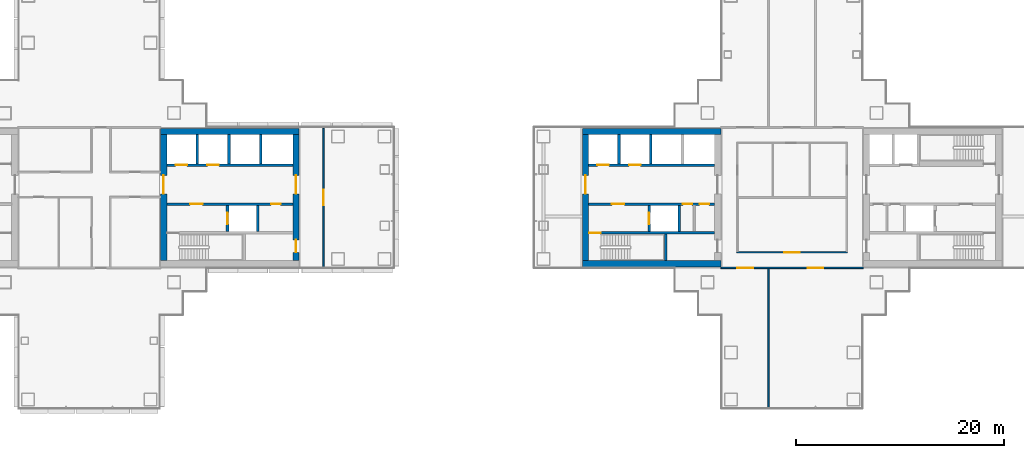
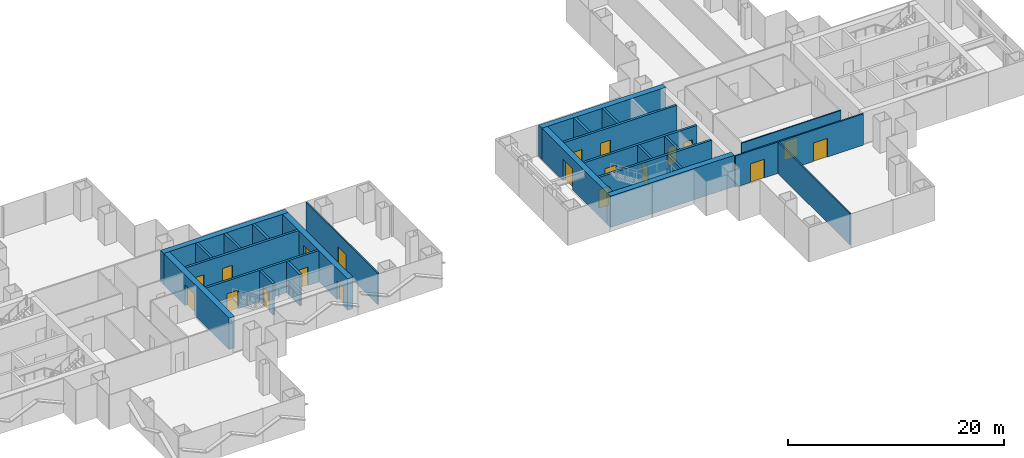
# One storey, part 13 of 18: 25 walls, 20 doors, 20 openings.
"""IFC4 building model written with IfcOpenShell, lengths in metres."""

from ifc_helpers import new_model, si_unit, direction, frame, frame_2d, origin, place, context, subcontext, project, spatial, rectangle, extrude, material, layer, layer_set, type_object, element, fill, save


model = new_model("IFC4")

# Units and contexts
model_context = context("Model", 3, precision=1e-05, world=origin(), true_north=direction((0.0, 1.0)))
body_context = subcontext(model_context, "Body", "Model", "MODEL_VIEW")
ifc_project = project(units=[si_unit("LENGTHUNIT", "METRE"), si_unit("AREAUNIT", "SQUARE_METRE"), si_unit("VOLUMEUNIT", "CUBIC_METRE"), si_unit("PLANEANGLEUNIT", "RADIAN"), si_unit("MASSUNIT", "GRAM", prefix="KILO")], contexts=[model_context])

# Site, building, storey
site_placement = place(None, origin())
site = spatial("IfcSite", under=ifc_project, at=site_placement, CompositionType="ELEMENT")
building_placement = place(site_placement, origin())
building = spatial("IfcBuilding", under=site, at=building_placement, Name="Shamsa Quay Exchange Towers", CompositionType="ELEMENT")
storey_placement = place(building_placement, frame((0.0, 0.0, 117.0)))
storey = spatial("IfcBuildingStorey", under=building, at=storey_placement, Name="L27", CompositionType="ELEMENT", Elevation=117.0)

# Wall
ifc_material_1 = material(Name="Concrete C70/85", Category="concrete")
ifc_layer_1 = layer(ifc_material_1, 0.60009765625)
ifc_layer_set_1 = layer_set([ifc_layer_1], Name="CORE WALL 600 C70/85")
wall_type_1 = type_object("IfcWallType", Name="CORE WALL 600 C70/85", PredefinedType="SHEAR", material=ifc_layer_set_1)
wall_1_placement = place(storey_placement, frame((-26.89990234375, 6.35009765625, 0.0)))
element("IfcWall", 1, at=wall_1_placement, inside=storey, type_object=wall_type_1, Name="Core wall T1A-R12-PN", PredefinedType="SHEAR", context=body_context, shape_type="SweptSolid", body=[
    extrude(rectangle(XDim=13.2998046875, YDim=0.60009765625, at=frame_2d((6.64990234375, 0.0))), origin(), (0.0, 0.0, 1.0), 3.550048828125),
])

# Wall, opening, door
wall_2_placement = place(storey_placement, frame((-26.60009765625, 6.050048828125, 0.0), z_axis=(0.0, 0.0, 1.0), x_axis=(0.0, -1.0, 0.0)))
wall_2 = element("IfcWall", 2, at=wall_2_placement, inside=storey, type_object=wall_type_1, Name="Core wall T1A-R12-PF", PredefinedType="SHEAR", context=body_context, shape_type="SweptSolid", body=[
    extrude(rectangle(XDim=12.10009765625, YDim=0.60009765625, at=frame_2d((6.050048828125, 0.0))), origin(), (0.0, 0.0, 1.0), 3.550048828125),
])
opening_1_placement = place(wall_2_placement, frame((3.89990234375, 0.0, 0.0)))
opening_1 = element("IfcOpeningElement", 3, at=opening_1_placement, cuts=wall_2, Name="Opening T1A-R12-LBD01", PredefinedType="OPENING", context=body_context, shape_type="SweptSolid", body=[
    extrude(rectangle(XDim=1.800048828125, YDim=2.39990234375, at=frame_2d((0.89990234375, 1.199951171875))), frame((0.0, 0.31005859375, 0.0), z_axis=(0.0, -1.0, 0.0), x_axis=(1.0, 0.0, 0.0)), (0.0, 0.0, 1.0), 0.6201171875),
])
ifc_material_2 = material(Name="Steel, fire rated", Category="steel")
door_type_1 = type_object("IfcDoorType", Name="LIFT LOBBY DOOR PAIR 1800", OperationType="DOUBLE_DOOR_SINGLE_SWING", PredefinedType="DOOR", material=ifc_material_2)
door_1_placement = place(opening_1_placement, origin())
door_1 = element("IfcDoor", 4, at=door_1_placement, inside=storey, type_object=door_type_1, Name="T1A-R12-LBD01", OperationType="DOUBLE_DOOR_SINGLE_SWING", OverallHeight=2.39990234375, OverallWidth=1.800048828125, PredefinedType="DOOR", context=body_context, shape_type="SweptSolid", body=[
    extrude(rectangle(XDim=1.800048828125, YDim=2.39990234375, at=frame_2d((0.89990234375, 1.199951171875))), frame((0.0, 0.02490234375, 0.0), z_axis=(0.0, -1.0, 0.0), x_axis=(1.0, 0.0, 0.0)), (0.0, 0.0, 1.0), 0.050048828125),
])
fill(opening_1, door_1)

# Wall, openings, doors
wall_3_placement = place(storey_placement, frame((-13.89990234375, 6.050048828125, 0.0), z_axis=(0.0, 0.0, 1.0), x_axis=(0.0, -1.0, 0.0)))
wall_3 = element("IfcWall", 5, at=wall_3_placement, inside=storey, type_object=wall_type_1, Name="Core wall T1A-R12-PB", PredefinedType="SHEAR", context=body_context, shape_type="SweptSolid", body=[
    extrude(rectangle(XDim=12.10009765625, YDim=0.60009765625, at=frame_2d((6.050048828125, 0.0))), origin(), (0.0, 0.0, 1.0), 3.550048828125),
])
opening_2_placement = place(wall_3_placement, frame((10.10009765625, 0.0, 0.0)))
opening_2 = element("IfcOpeningElement", 6, at=opening_2_placement, cuts=wall_3, Name="Opening T1A-R12-RD02", PredefinedType="OPENING", context=body_context, shape_type="SweptSolid", body=[
    extrude(rectangle(XDim=1.199951171875, YDim=2.10009765625, at=frame_2d((0.60009765625, 1.050048828125))), frame((0.0, 0.31005859375, 0.0), z_axis=(0.0, -1.0, 0.0), x_axis=(1.0, 0.0, 0.0)), (0.0, 0.0, 1.0), 0.6201171875),
])
opening_3_placement = place(wall_3_placement, frame((3.89990234375, 0.0, 0.0)))
opening_3 = element("IfcOpeningElement", 7, at=opening_3_placement, cuts=wall_3, Name="Opening T1A-R12-LBD03", PredefinedType="OPENING", context=body_context, shape_type="SweptSolid", body=[
    extrude(rectangle(XDim=1.800048828125, YDim=2.39990234375, at=frame_2d((0.89990234375, 1.199951171875))), frame((0.0, 0.31005859375, 0.0), z_axis=(0.0, -1.0, 0.0), x_axis=(1.0, 0.0, 0.0)), (0.0, 0.0, 1.0), 0.6201171875),
])
door_2_placement = place(opening_3_placement, origin())
door_2 = element("IfcDoor", 8, at=door_2_placement, inside=storey, type_object=door_type_1, Name="T1A-R12-LBD03", OperationType="DOUBLE_DOOR_SINGLE_SWING", OverallHeight=2.39990234375, OverallWidth=1.800048828125, PredefinedType="DOOR", context=body_context, shape_type="SweptSolid", body=[
    extrude(rectangle(XDim=1.800048828125, YDim=2.39990234375, at=frame_2d((0.89990234375, 1.199951171875))), frame((0.0, 0.02490234375, 0.0), z_axis=(0.0, -1.0, 0.0), x_axis=(1.0, 0.0, 0.0)), (0.0, 0.0, 1.0), 0.050048828125),
])
fill(opening_3, door_2)
door_type_2 = type_object("IfcDoorType", Name="RISER ACCESS DOOR 1200", OperationType="SINGLE_SWING_LEFT", PredefinedType="DOOR", material=ifc_material_2)
door_3_placement = place(opening_2_placement, origin())
door_3 = element("IfcDoor", 9, at=door_3_placement, inside=storey, type_object=door_type_2, Name="T1A-R12-RD02", OperationType="SINGLE_SWING_RIGHT", OverallHeight=2.10009765625, OverallWidth=1.199951171875, PredefinedType="DOOR", context=body_context, shape_type="SweptSolid", body=[
    extrude(rectangle(XDim=1.199951171875, YDim=2.10009765625, at=frame_2d((0.60009765625, 1.050048828125))), frame((0.0, 0.02490234375, 0.0), z_axis=(0.0, -1.0, 0.0), x_axis=(1.0, 0.0, 0.0)), (0.0, 0.0, 1.0), 0.050048828125),
])
fill(opening_2, door_3)

# Walls
for number, where, name in (
    (10, (13.60009765625, -6.35009765625, 0.0), "Core wall T2A-R12-PS"),
    (11, (13.60009765625, 6.35009765625, 0.0), "Core wall T2A-R12-PN"),
):
    element("IfcWall", number, at=place(storey_placement, frame(where)), inside=storey, type_object=wall_type_1, Name=name, PredefinedType="SHEAR", context=body_context, shape_type="SweptSolid", body=[
        extrude(rectangle(XDim=13.2998046875, YDim=0.60009765625, at=frame_2d((6.64990234375, 0.0))), origin(), (0.0, 0.0, 1.0), 3.550048828125),
    ])

# Wall, opening, door
wall_4_placement = place(storey_placement, frame((13.89990234375, 6.050048828125, 0.0), z_axis=(0.0, 0.0, 1.0), x_axis=(0.0, -1.0, 0.0)))
wall_4 = element("IfcWall", 12, at=wall_4_placement, inside=storey, type_object=wall_type_1, Name="Core wall T2A-R12-PF", PredefinedType="SHEAR", context=body_context, shape_type="SweptSolid", body=[
    extrude(rectangle(XDim=12.10009765625, YDim=0.60009765625, at=frame_2d((6.050048828125, 0.0))), origin(), (0.0, 0.0, 1.0), 3.550048828125),
])
opening_4_placement = place(wall_4_placement, frame((3.89990234375, 0.0, 0.0)))
opening_4 = element("IfcOpeningElement", 13, at=opening_4_placement, cuts=wall_4, Name="Opening T2A-R12-LBD01", PredefinedType="OPENING", context=body_context, shape_type="SweptSolid", body=[
    extrude(rectangle(XDim=1.800048828125, YDim=2.39990234375, at=frame_2d((0.89990234375, 1.199951171875))), frame((0.0, 0.31005859375, 0.0), z_axis=(0.0, -1.0, 0.0), x_axis=(1.0, 0.0, 0.0)), (0.0, 0.0, 1.0), 0.6201171875),
])
door_4_placement = place(opening_4_placement, origin())
door_4 = element("IfcDoor", 14, at=door_4_placement, inside=storey, type_object=door_type_1, Name="T2A-R12-LBD01", OperationType="DOUBLE_DOOR_SINGLE_SWING", OverallHeight=2.39990234375, OverallWidth=1.800048828125, PredefinedType="DOOR", context=body_context, shape_type="SweptSolid", body=[
    extrude(rectangle(XDim=1.800048828125, YDim=2.39990234375, at=frame_2d((0.89990234375, 1.199951171875))), frame((0.0, 0.02490234375, 0.0), z_axis=(0.0, -1.0, 0.0), x_axis=(1.0, 0.0, 0.0)), (0.0, 0.0, 1.0), 0.050048828125),
])
fill(opening_4, door_4)

ifc_material_3 = material(Name="Laminated fire-resisting glass in a metal frame", Category="glass")
ifc_layer_2 = layer(ifc_material_3, 0.125)
ifc_layer_set_2 = layer_set([ifc_layer_2], Name="Glazed partition 125 mm EI 60")
wall_type_2 = type_object("IfcWallType", Name="Glazed partition 125 mm EI 60", PredefinedType="PARTITIONING", material=ifc_layer_set_2)
wall_5_placement = place(storey_placement, frame((28.4375, -5.25, 0.0)))
wall_5 = element("IfcWall", 15, at=wall_5_placement, inside=storey, type_object=wall_type_2, Name="Partition T2-R12-W02", PredefinedType="PARTITIONING", context=body_context, shape_type="SweptSolid", body=[
    extrude(rectangle(XDim=10.625, YDim=0.125, at=frame_2d((5.3125, 0.0))), origin(), (0.0, 0.0, 1.0), 3.550048828125),
])
opening_5_placement = place(wall_5_placement, frame((4.5625, 0.0, 0.0)))
opening_5 = element("IfcOpeningElement", 16, at=opening_5_placement, cuts=wall_5, Name="Opening T2-R12-D04", PredefinedType="OPENING", context=body_context, shape_type="SweptSolid", body=[
    extrude(rectangle(XDim=1.5, YDim=2.10009765625, at=frame_2d((0.75, 1.050048828125))), frame((0.0, 0.072509765625, 0.0), z_axis=(0.0, -1.0, 0.0), x_axis=(1.0, 0.0, 0.0)), (0.0, 0.0, 1.0), 0.14501953125),
])
ifc_material_4 = material(Name="Timber door leaf in a metal frame", Category="wood")
door_type_3 = type_object("IfcDoorType", Name="Door 1500x2100 FD30S pair", OperationType="NOTDEFINED", PredefinedType="DOOR", material=ifc_material_4)
door_5_placement = place(opening_5_placement, origin())
door_5 = element("IfcDoor", 17, at=door_5_placement, inside=storey, type_object=door_type_3, Name="Door T2-R12-D04", OperationType="DOUBLE_DOOR_SINGLE_SWING", OverallHeight=2.10009765625, OverallWidth=1.5, PredefinedType="DOOR", context=body_context, shape_type="SweptSolid", body=[
    extrude(rectangle(XDim=1.5, YDim=2.10009765625, at=frame_2d((0.75, 1.050048828125))), frame((0.0, 0.02490234375, 0.0), z_axis=(0.0, -1.0, 0.0), x_axis=(1.0, 0.0, 0.0)), (0.0, 0.0, 1.0), 0.050048828125),
])
fill(opening_5, door_5)

ifc_material_5 = material(Name="Gypsum board partition on metal studs")
ifc_layer_3 = layer(ifc_material_5, 0.14990234375)
ifc_layer_set_3 = layer_set([ifc_layer_3], Name="Partition 150 mm EI 60")
wall_type_3 = type_object("IfcWallType", Name="Partition 150 mm EI 60", PredefinedType="PARTITIONING", material=ifc_layer_set_3)
wall_6_placement = place(storey_placement, frame((-11.25, 6.655029296875, 0.0), z_axis=(0.0, 0.0, 1.0), x_axis=(0.0, -1.0, 0.0)))
wall_6 = element("IfcWall", 18, at=wall_6_placement, inside=storey, type_object=wall_type_3, Name="Partition T1-R12-W11", PredefinedType="PARTITIONING", context=body_context, shape_type="SweptSolid", body=[
    extrude(rectangle(XDim=13.31005859375, YDim=0.14990234375, at=frame_2d((6.655029296875, 0.0))), origin(), (0.0, 0.0, 1.0), 3.550048828125),
])
opening_6_placement = place(wall_6_placement, frame((5.905029296875, 0.0, 0.0)))
opening_6 = element("IfcOpeningElement", 19, at=opening_6_placement, cuts=wall_6, Name="Opening T1-R12-D08", PredefinedType="OPENING", context=body_context, shape_type="SweptSolid", body=[
    extrude(rectangle(XDim=1.5, YDim=2.10009765625, at=frame_2d((0.75, 1.050048828125))), frame((0.0, 0.0849609375, 0.0), z_axis=(0.0, -1.0, 0.0), x_axis=(1.0, 0.0, 0.0)), (0.0, 0.0, 1.0), 0.169921875),
])
door_6_placement = place(opening_6_placement, origin())
door_6 = element("IfcDoor", 20, at=door_6_placement, inside=storey, type_object=door_type_3, Name="Door T1-R12-D08", OperationType="DOUBLE_DOOR_SINGLE_SWING", OverallHeight=2.10009765625, OverallWidth=1.5, PredefinedType="DOOR", context=body_context, shape_type="SweptSolid", body=[
    extrude(rectangle(XDim=1.5, YDim=2.10009765625, at=frame_2d((0.75, 1.050048828125))), frame((0.0, 0.02490234375, 0.0), z_axis=(0.0, -1.0, 0.0), x_axis=(1.0, 0.0, 0.0)), (0.0, 0.0, 1.0), 0.050048828125),
])
fill(opening_6, door_6)

# Wall, openings, doors
wall_7_placement = place(storey_placement, frame((40.60009765625, -6.75, 0.0), z_axis=(0.0, 0.0, 1.0), x_axis=(-1.0, 0.0, 0.0)))
wall_7 = element("IfcWall", 21, at=wall_7_placement, inside=storey, type_object=wall_type_3, Name="Partition T2-R12-W08", PredefinedType="PARTITIONING", context=body_context, shape_type="SweptSolid", body=[
    extrude(rectangle(XDim=13.7001953125, YDim=0.14990234375, at=frame_2d((6.85009765625, 0.0))), origin(), (0.0, 0.0, 1.0), 3.550048828125),
])
opening_7_placement = place(wall_7_placement, frame((10.60009765625, 0.0, 0.0)))
opening_7 = element("IfcOpeningElement", 22, at=opening_7_placement, cuts=wall_7, Name="Opening T2-R12-D08", PredefinedType="OPENING", context=body_context, shape_type="SweptSolid", body=[
    extrude(rectangle(XDim=1.5, YDim=2.10009765625, at=frame_2d((0.75, 1.050048828125))), frame((0.0, 0.0849609375, 0.0), z_axis=(0.0, -1.0, 0.0), x_axis=(1.0, 0.0, 0.0)), (0.0, 0.0, 1.0), 0.169921875),
])
opening_8_placement = place(wall_7_placement, frame((3.85009765625, 0.0, 0.0)))
opening_8 = element("IfcOpeningElement", 23, at=opening_8_placement, cuts=wall_7, Name="Opening T2-R12-D09", PredefinedType="OPENING", context=body_context, shape_type="SweptSolid", body=[
    extrude(rectangle(XDim=1.5, YDim=2.10009765625, at=frame_2d((0.75, 1.050048828125))), frame((0.0, 0.0849609375, 0.0), z_axis=(0.0, -1.0, 0.0), x_axis=(1.0, 0.0, 0.0)), (0.0, 0.0, 1.0), 0.169921875),
])
door_7_placement = place(opening_7_placement, origin())
door_7 = element("IfcDoor", 24, at=door_7_placement, inside=storey, type_object=door_type_3, Name="Door T2-R12-D08", OperationType="DOUBLE_DOOR_SINGLE_SWING", OverallHeight=2.10009765625, OverallWidth=1.5, PredefinedType="DOOR", context=body_context, shape_type="SweptSolid", body=[
    extrude(rectangle(XDim=1.5, YDim=2.10009765625, at=frame_2d((0.75, 1.050048828125))), frame((0.0, 0.02490234375, 0.0), z_axis=(0.0, -1.0, 0.0), x_axis=(1.0, 0.0, 0.0)), (0.0, 0.0, 1.0), 0.050048828125),
])
fill(opening_7, door_7)
door_8_placement = place(opening_8_placement, origin())
door_8 = element("IfcDoor", 25, at=door_8_placement, inside=storey, type_object=door_type_3, Name="Door T2-R12-D09", OperationType="DOUBLE_DOOR_SINGLE_SWING", OverallHeight=2.10009765625, OverallWidth=1.5, PredefinedType="DOOR", context=body_context, shape_type="SweptSolid", body=[
    extrude(rectangle(XDim=1.5, YDim=2.10009765625, at=frame_2d((0.75, 1.050048828125))), frame((0.0, 0.02490234375, 0.0), z_axis=(0.0, -1.0, 0.0), x_axis=(1.0, 0.0, 0.0)), (0.0, 0.0, 1.0), 0.050048828125),
])
fill(opening_8, door_8)

# Wall
wall_8_placement = place(storey_placement, frame((31.5, -6.824951171875, 0.0), z_axis=(0.0, 0.0, 1.0), x_axis=(0.0, -1.0, 0.0)))
element("IfcWall", 26, at=wall_8_placement, inside=storey, type_object=wall_type_3, Name="Partition T2-R12-W13", PredefinedType="PARTITIONING", context=body_context, shape_type="SweptSolid", body=[
    extrude(rectangle(XDim=13.330078125, YDim=0.14990234375, at=frame_2d((6.6650390625, 0.0))), origin(), (0.0, 0.0, 1.0), 3.550048828125),
])

# Wall, openings, doors
ifc_material_6 = material(Name="Concrete C50/60", Category="concrete")
ifc_layer_4 = layer(ifc_material_6, 0.25)
ifc_layer_set_4 = layer_set([ifc_layer_4], Name="SHAFT WALL 250 C50/60")
wall_type_4 = type_object("IfcWallType", Name="SHAFT WALL 250 C50/60", PredefinedType="SHEAR", material=ifc_layer_set_4)
wall_9_placement = place(storey_placement, frame((-14.199951171875, -0.625, 0.0), z_axis=(0.0, 0.0, 1.0), x_axis=(-1.0, 0.0, 0.0)))
wall_9 = element("IfcWall", 27, at=wall_9_placement, inside=storey, type_object=wall_type_4, Name="Shaft wall T1A-R12-B", PredefinedType="SHEAR", context=body_context, shape_type="SweptSolid", body=[
    extrude(rectangle(XDim=12.10009765625, YDim=0.25, at=frame_2d((6.050048828125, 0.0))), origin(), (0.0, 0.0, 1.0), 3.550048828125),
])
opening_9_placement = place(wall_9_placement, frame((8.64990234375, 0.0, 0.0)))
opening_9 = element("IfcOpeningElement", 28, at=opening_9_placement, cuts=wall_9, Name="Opening T1A-R12-FD05", PredefinedType="OPENING", context=body_context, shape_type="SweptSolid", body=[
    extrude(rectangle(XDim=1.199951171875, YDim=2.10009765625, at=frame_2d((0.60009765625, 1.050048828125))), frame((0.0, 0.135009765625, 0.0), z_axis=(0.0, -1.0, 0.0), x_axis=(1.0, 0.0, 0.0)), (0.0, 0.0, 1.0), 0.27001953125),
])
opening_10_placement = place(wall_9_placement, frame((1.175048828125, 0.0, 0.0)))
opening_10 = element("IfcOpeningElement", 29, at=opening_10_placement, cuts=wall_9, Name="Opening T1A-R12-SV06", PredefinedType="OPENING", context=body_context, shape_type="SweptSolid", body=[
    extrude(rectangle(XDim=0.89990234375, YDim=2.10009765625, at=frame_2d((0.449951171875, 1.050048828125))), frame((0.0, 0.135009765625, 0.0), z_axis=(0.0, -1.0, 0.0), x_axis=(1.0, 0.0, 0.0)), (0.0, 0.0, 1.0), 0.27001953125),
])
door_type_4 = type_object("IfcDoorType", Name="FIRE SERVICE LOBBY DOOR 1200", OperationType="SINGLE_SWING_LEFT", PredefinedType="DOOR", material=ifc_material_2)
door_9_placement = place(opening_9_placement, origin())
door_9 = element("IfcDoor", 30, at=door_9_placement, inside=storey, type_object=door_type_4, Name="T1A-R12-FD05", OperationType="SINGLE_SWING_RIGHT", OverallHeight=2.10009765625, OverallWidth=1.199951171875, PredefinedType="DOOR", context=body_context, shape_type="SweptSolid", body=[
    extrude(rectangle(XDim=1.199951171875, YDim=2.10009765625, at=frame_2d((0.60009765625, 1.050048828125))), frame((0.0, 0.02490234375, 0.0), z_axis=(0.0, -1.0, 0.0), x_axis=(1.0, 0.0, 0.0)), (0.0, 0.0, 1.0), 0.050048828125),
])
fill(opening_9, door_9)
door_type_5 = type_object("IfcDoorType", Name="SERVICE ROOM DOOR 900", OperationType="SINGLE_SWING_LEFT", PredefinedType="DOOR", material=ifc_material_2)
door_10_placement = place(opening_10_placement, origin())
door_10 = element("IfcDoor", 31, at=door_10_placement, inside=storey, type_object=door_type_5, Name="T1A-R12-SV06", OperationType="SINGLE_SWING_LEFT", OverallHeight=2.10009765625, OverallWidth=0.89990234375, PredefinedType="DOOR", context=body_context, shape_type="SweptSolid", body=[
    extrude(rectangle(XDim=0.89990234375, YDim=2.10009765625, at=frame_2d((0.449951171875, 1.050048828125))), frame((0.0, 0.02490234375, 0.0), z_axis=(0.0, -1.0, 0.0), x_axis=(1.0, 0.0, 0.0)), (0.0, 0.0, 1.0), 0.050048828125),
])
fill(opening_10, door_10)

# Wall, opening, door
wall_10_placement = place(storey_placement, frame((-20.47509765625, -3.25, 0.0), z_axis=(0.0, 0.0, 1.0), x_axis=(0.0, 1.0, 0.0)))
wall_10 = element("IfcWall", 32, at=wall_10_placement, inside=storey, type_object=wall_type_4, Name="Shaft wall T1A-R12-FFF", PredefinedType="SHEAR", context=body_context, shape_type="SweptSolid", body=[
    extrude(rectangle(XDim=2.5, YDim=0.25, at=frame_2d((1.25, 0.0))), origin(), (0.0, 0.0, 1.0), 3.550048828125),
])
opening_11_placement = place(wall_10_placement, frame((0.699951171875, 0.0, 0.0)))
opening_11 = element("IfcOpeningElement", 33, at=opening_11_placement, cuts=wall_10, Name="Opening T1A-R12-LDF07", PredefinedType="OPENING", context=body_context, shape_type="SweptSolid", body=[
    extrude(rectangle(XDim=1.10009765625, YDim=2.10009765625, at=frame_2d((0.550048828125, 1.050048828125))), frame((0.0, 0.135009765625, 0.0), z_axis=(0.0, -1.0, 0.0), x_axis=(1.0, 0.0, 0.0)), (0.0, 0.0, 1.0), 0.27001953125),
])
door_type_6 = type_object("IfcDoorType", Name="FIRE SERVICE LANDING DOOR 1100", OperationType="SLIDING_TO_LEFT", PredefinedType="DOOR", material=ifc_material_2)
door_11_placement = place(opening_11_placement, origin())
door_11 = element("IfcDoor", 34, at=door_11_placement, inside=storey, type_object=door_type_6, Name="T1A-R12-LDF07", OperationType="SLIDING_TO_LEFT", OverallHeight=2.10009765625, OverallWidth=1.10009765625, PredefinedType="DOOR", context=body_context, shape_type="SweptSolid", body=[
    extrude(rectangle(XDim=1.10009765625, YDim=2.10009765625, at=frame_2d((0.550048828125, 1.050048828125))), frame((0.0, 0.02490234375, 0.0), z_axis=(0.0, -1.0, 0.0), x_axis=(1.0, 0.0, 0.0)), (0.0, 0.0, 1.0), 0.050048828125),
])
fill(opening_11, door_11)

# Wall
wall_11_placement = place(storey_placement, frame((-17.574951171875, -3.25, 0.0), z_axis=(0.0, 0.0, 1.0), x_axis=(0.0, 1.0, 0.0)))
element("IfcWall", 35, at=wall_11_placement, inside=storey, type_object=wall_type_4, Name="Shaft wall T1A-R12-FFB", PredefinedType="SHEAR", context=body_context, shape_type="SweptSolid", body=[
    extrude(rectangle(XDim=2.5, YDim=0.25, at=frame_2d((1.25, 0.0))), origin(), (0.0, 0.0, 1.0), 3.550048828125),
])

# Wall, openings, doors
wall_12_placement = place(storey_placement, frame((-26.300048828125, 3.125, 0.0)))
wall_12 = element("IfcWall", 36, at=wall_12_placement, inside=storey, type_object=wall_type_4, Name="Shaft wall T1A-R12-N", PredefinedType="SHEAR", context=body_context, shape_type="SweptSolid", body=[
    extrude(rectangle(XDim=12.10009765625, YDim=0.25, at=frame_2d((6.050048828125, 0.0))), origin(), (0.0, 0.0, 1.0), 3.550048828125),
])
opening_12_placement = place(wall_12_placement, frame((0.85009765625, 0.0, 0.0)))
opening_12 = element("IfcOpeningElement", 37, at=opening_12_placement, cuts=wall_12, Name="Opening T1A-R12-LD08", PredefinedType="OPENING", context=body_context, shape_type="SweptSolid", body=[
    extrude(rectangle(XDim=1.10009765625, YDim=2.10009765625, at=frame_2d((0.550048828125, 1.050048828125))), frame((0.0, 0.135009765625, 0.0), z_axis=(0.0, -1.0, 0.0), x_axis=(1.0, 0.0, 0.0)), (0.0, 0.0, 1.0), 0.27001953125),
])
opening_13_placement = place(wall_12_placement, frame((3.89990234375, 0.0, 0.0)))
opening_13 = element("IfcOpeningElement", 38, at=opening_13_placement, cuts=wall_12, Name="Opening T1A-R12-LD09", PredefinedType="OPENING", context=body_context, shape_type="SweptSolid", body=[
    extrude(rectangle(XDim=1.10009765625, YDim=2.10009765625, at=frame_2d((0.550048828125, 1.050048828125))), frame((0.0, 0.135009765625, 0.0), z_axis=(0.0, -1.0, 0.0), x_axis=(1.0, 0.0, 0.0)), (0.0, 0.0, 1.0), 0.27001953125),
])
door_type_7 = type_object("IfcDoorType", Name="LANDING DOOR 1100", OperationType="SLIDING_TO_LEFT", PredefinedType="DOOR", material=ifc_material_2)
door_12_placement = place(opening_12_placement, origin())
door_12 = element("IfcDoor", 39, at=door_12_placement, inside=storey, type_object=door_type_7, Name="T1A-R12-LD08", OperationType="SLIDING_TO_LEFT", OverallHeight=2.10009765625, OverallWidth=1.10009765625, PredefinedType="DOOR", context=body_context, shape_type="SweptSolid", body=[
    extrude(rectangle(XDim=1.10009765625, YDim=2.10009765625, at=frame_2d((0.550048828125, 1.050048828125))), frame((0.0, 0.02490234375, 0.0), z_axis=(0.0, -1.0, 0.0), x_axis=(1.0, 0.0, 0.0)), (0.0, 0.0, 1.0), 0.050048828125),
])
fill(opening_12, door_12)
door_13_placement = place(opening_13_placement, origin())
door_13 = element("IfcDoor", 40, at=door_13_placement, inside=storey, type_object=door_type_7, Name="T1A-R12-LD09", OperationType="SLIDING_TO_LEFT", OverallHeight=2.10009765625, OverallWidth=1.10009765625, PredefinedType="DOOR", context=body_context, shape_type="SweptSolid", body=[
    extrude(rectangle(XDim=1.10009765625, YDim=2.10009765625, at=frame_2d((0.550048828125, 1.050048828125))), frame((0.0, 0.02490234375, 0.0), z_axis=(0.0, -1.0, 0.0), x_axis=(1.0, 0.0, 0.0)), (0.0, 0.0, 1.0), 0.050048828125),
])
fill(opening_13, door_13)

# Walls
for number, where, z_axis, x_axis, name in (
    (41, (-23.375, 3.25, 0.0), (0.0, 0.0, 1.0), (0.0, 1.0, 0.0), "Shaft wall T1A-R12-D0"),
    (42, (-20.324951171875, 3.25, 0.0), (0.0, 0.0, 1.0), (0.0, 1.0, 0.0), "Shaft wall T1A-R12-D1"),
    (43, (-17.27490234375, 3.25, 0.0), (0.0, 0.0, 1.0), (0.0, 1.0, 0.0), "Shaft wall T1A-R12-D2"),
):
    element("IfcWall", number, at=place(storey_placement, frame(where, z_axis=z_axis, x_axis=x_axis)), inside=storey, type_object=wall_type_4, Name=name, PredefinedType="SHEAR", context=body_context, shape_type="SweptSolid", body=[
        extrude(rectangle(XDim=2.800048828125, YDim=0.25, at=frame_2d((1.39990234375, 0.0))), origin(), (0.0, 0.0, 1.0), 3.550048828125),
    ])

# Wall, opening, door
wall_13_placement = place(storey_placement, frame((26.300048828125, -3.375, 0.0), z_axis=(0.0, 0.0, 1.0), x_axis=(-1.0, 0.0, 0.0)))
wall_13 = element("IfcWall", 44, at=wall_13_placement, inside=storey, type_object=wall_type_4, Name="Shaft wall T2A-R12-STL", PredefinedType="SHEAR", context=body_context, shape_type="SweptSolid", body=[
    extrude(rectangle(XDim=12.10009765625, YDim=0.25, at=frame_2d((6.050048828125, 0.0))), origin(), (0.0, 0.0, 1.0), 3.550048828125),
])
opening_14_placement = place(wall_13_placement, frame((10.949951171875, 0.0, 0.0)))
opening_14 = element("IfcOpeningElement", 45, at=opening_14_placement, cuts=wall_13, Name="Opening T2A-R12-SD04", PredefinedType="OPENING", context=body_context, shape_type="SweptSolid", body=[
    extrude(rectangle(XDim=1.10009765625, YDim=2.10009765625, at=frame_2d((0.550048828125, 1.050048828125))), frame((0.0, 0.135009765625, 0.0), z_axis=(0.0, -1.0, 0.0), x_axis=(1.0, 0.0, 0.0)), (0.0, 0.0, 1.0), 0.27001953125),
])
door_type_8 = type_object("IfcDoorType", Name="STAIR DOOR 1100", OperationType="SINGLE_SWING_LEFT", PredefinedType="DOOR", material=ifc_material_2)
door_14_placement = place(opening_14_placement, origin())
door_14 = element("IfcDoor", 46, at=door_14_placement, inside=storey, type_object=door_type_8, Name="T2A-R12-SD04", OperationType="SINGLE_SWING_RIGHT", OverallHeight=2.10009765625, OverallWidth=1.10009765625, PredefinedType="DOOR", context=body_context, shape_type="SweptSolid", body=[
    extrude(rectangle(XDim=1.10009765625, YDim=2.10009765625, at=frame_2d((0.550048828125, 1.050048828125))), frame((0.0, 0.02490234375, 0.0), z_axis=(0.0, -1.0, 0.0), x_axis=(1.0, 0.0, 0.0)), (0.0, 0.0, 1.0), 0.050048828125),
])
fill(opening_14, door_14)

# Wall
wall_14_placement = place(storey_placement, frame((21.625, -6.050048828125, 0.0), z_axis=(0.0, 0.0, 1.0), x_axis=(0.0, 1.0, 0.0)))
element("IfcWall", 47, at=wall_14_placement, inside=storey, type_object=wall_type_4, Name="Shaft wall T2A-R12-STF", PredefinedType="SHEAR", context=body_context, shape_type="SweptSolid", body=[
    extrude(rectangle(XDim=2.550048828125, YDim=0.25, at=frame_2d((1.27490234375, 0.0))), origin(), (0.0, 0.0, 1.0), 3.550048828125),
])

# Wall, openings, doors
wall_15_placement = place(storey_placement, frame((26.300048828125, -0.625, 0.0), z_axis=(0.0, 0.0, 1.0), x_axis=(-1.0, 0.0, 0.0)))
wall_15 = element("IfcWall", 48, at=wall_15_placement, inside=storey, type_object=wall_type_4, Name="Shaft wall T2A-R12-B", PredefinedType="SHEAR", context=body_context, shape_type="SweptSolid", body=[
    extrude(rectangle(XDim=12.10009765625, YDim=0.25, at=frame_2d((6.050048828125, 0.0))), origin(), (0.0, 0.0, 1.0), 3.550048828125),
])
opening_15_placement = place(wall_15_placement, frame((8.64990234375, 0.0, 0.0)))
opening_15 = element("IfcOpeningElement", 49, at=opening_15_placement, cuts=wall_15, Name="Opening T2A-R12-FD05", PredefinedType="OPENING", context=body_context, shape_type="SweptSolid", body=[
    extrude(rectangle(XDim=1.199951171875, YDim=2.10009765625, at=frame_2d((0.60009765625, 1.050048828125))), frame((0.0, 0.135009765625, 0.0), z_axis=(0.0, -1.0, 0.0), x_axis=(1.0, 0.0, 0.0)), (0.0, 0.0, 1.0), 0.27001953125),
])
opening_16_placement = place(wall_15_placement, frame((2.14990234375, 0.0, 0.0)))
opening_16 = element("IfcOpeningElement", 50, at=opening_16_placement, cuts=wall_15, Name="Opening T2A-R12-SV06", PredefinedType="OPENING", context=body_context, shape_type="SweptSolid", body=[
    extrude(rectangle(XDim=0.89990234375, YDim=2.10009765625, at=frame_2d((0.449951171875, 1.050048828125))), frame((0.0, 0.135009765625, 0.0), z_axis=(0.0, -1.0, 0.0), x_axis=(1.0, 0.0, 0.0)), (0.0, 0.0, 1.0), 0.27001953125),
])
opening_17_placement = place(wall_15_placement, frame((0.52490234375, 0.0, 0.0)))
opening_17 = element("IfcOpeningElement", 51, at=opening_17_placement, cuts=wall_15, Name="Opening T2A-R12-SV07", PredefinedType="OPENING", context=body_context, shape_type="SweptSolid", body=[
    extrude(rectangle(XDim=0.89990234375, YDim=2.10009765625, at=frame_2d((0.449951171875, 1.050048828125))), frame((0.0, 0.135009765625, 0.0), z_axis=(0.0, -1.0, 0.0), x_axis=(1.0, 0.0, 0.0)), (0.0, 0.0, 1.0), 0.27001953125),
])
door_15_placement = place(opening_15_placement, origin())
door_15 = element("IfcDoor", 52, at=door_15_placement, inside=storey, type_object=door_type_4, Name="T2A-R12-FD05", OperationType="SINGLE_SWING_RIGHT", OverallHeight=2.10009765625, OverallWidth=1.199951171875, PredefinedType="DOOR", context=body_context, shape_type="SweptSolid", body=[
    extrude(rectangle(XDim=1.199951171875, YDim=2.10009765625, at=frame_2d((0.60009765625, 1.050048828125))), frame((0.0, 0.02490234375, 0.0), z_axis=(0.0, -1.0, 0.0), x_axis=(1.0, 0.0, 0.0)), (0.0, 0.0, 1.0), 0.050048828125),
])
fill(opening_15, door_15)
door_16_placement = place(opening_16_placement, origin())
door_16 = element("IfcDoor", 53, at=door_16_placement, inside=storey, type_object=door_type_5, Name="T2A-R12-SV06", OperationType="SINGLE_SWING_LEFT", OverallHeight=2.10009765625, OverallWidth=0.89990234375, PredefinedType="DOOR", context=body_context, shape_type="SweptSolid", body=[
    extrude(rectangle(XDim=0.89990234375, YDim=2.10009765625, at=frame_2d((0.449951171875, 1.050048828125))), frame((0.0, 0.02490234375, 0.0), z_axis=(0.0, -1.0, 0.0), x_axis=(1.0, 0.0, 0.0)), (0.0, 0.0, 1.0), 0.050048828125),
])
fill(opening_16, door_16)
door_17_placement = place(opening_17_placement, origin())
door_17 = element("IfcDoor", 54, at=door_17_placement, inside=storey, type_object=door_type_5, Name="T2A-R12-SV07", OperationType="SINGLE_SWING_LEFT", OverallHeight=2.10009765625, OverallWidth=0.89990234375, PredefinedType="DOOR", context=body_context, shape_type="SweptSolid", body=[
    extrude(rectangle(XDim=0.89990234375, YDim=2.10009765625, at=frame_2d((0.449951171875, 1.050048828125))), frame((0.0, 0.02490234375, 0.0), z_axis=(0.0, -1.0, 0.0), x_axis=(1.0, 0.0, 0.0)), (0.0, 0.0, 1.0), 0.050048828125),
])
fill(opening_17, door_17)

# Wall, opening, door
wall_16_placement = place(storey_placement, frame((20.02490234375, -3.25, 0.0), z_axis=(0.0, 0.0, 1.0), x_axis=(0.0, 1.0, 0.0)))
wall_16 = element("IfcWall", 55, at=wall_16_placement, inside=storey, type_object=wall_type_4, Name="Shaft wall T2A-R12-FFF", PredefinedType="SHEAR", context=body_context, shape_type="SweptSolid", body=[
    extrude(rectangle(XDim=2.5, YDim=0.25, at=frame_2d((1.25, 0.0))), origin(), (0.0, 0.0, 1.0), 3.550048828125),
])
opening_18_placement = place(wall_16_placement, frame((0.699951171875, 0.0, 0.0)))
opening_18 = element("IfcOpeningElement", 56, at=opening_18_placement, cuts=wall_16, Name="Opening T2A-R12-LDF08", PredefinedType="OPENING", context=body_context, shape_type="SweptSolid", body=[
    extrude(rectangle(XDim=1.10009765625, YDim=2.10009765625, at=frame_2d((0.550048828125, 1.050048828125))), frame((0.0, 0.135009765625, 0.0), z_axis=(0.0, -1.0, 0.0), x_axis=(1.0, 0.0, 0.0)), (0.0, 0.0, 1.0), 0.27001953125),
])
door_18_placement = place(opening_18_placement, origin())
door_18 = element("IfcDoor", 57, at=door_18_placement, inside=storey, type_object=door_type_6, Name="T2A-R12-LDF08", OperationType="SLIDING_TO_LEFT", OverallHeight=2.10009765625, OverallWidth=1.10009765625, PredefinedType="DOOR", context=body_context, shape_type="SweptSolid", body=[
    extrude(rectangle(XDim=1.10009765625, YDim=2.10009765625, at=frame_2d((0.550048828125, 1.050048828125))), frame((0.0, 0.02490234375, 0.0), z_axis=(0.0, -1.0, 0.0), x_axis=(1.0, 0.0, 0.0)), (0.0, 0.0, 1.0), 0.050048828125),
])
fill(opening_18, door_18)

# Wall
wall_17_placement = place(storey_placement, frame((22.925048828125, -3.25, 0.0), z_axis=(0.0, 0.0, 1.0), x_axis=(0.0, 1.0, 0.0)))
element("IfcWall", 58, at=wall_17_placement, inside=storey, type_object=wall_type_4, Name="Shaft wall T2A-R12-FFB", PredefinedType="SHEAR", context=body_context, shape_type="SweptSolid", body=[
    extrude(rectangle(XDim=2.5, YDim=0.25, at=frame_2d((1.25, 0.0))), origin(), (0.0, 0.0, 1.0), 3.550048828125),
])

# Wall, openings, doors
wall_18_placement = place(storey_placement, frame((14.199951171875, 3.125, 0.0)))
wall_18 = element("IfcWall", 59, at=wall_18_placement, inside=storey, type_object=wall_type_4, Name="Shaft wall T2A-R12-N", PredefinedType="SHEAR", context=body_context, shape_type="SweptSolid", body=[
    extrude(rectangle(XDim=12.10009765625, YDim=0.25, at=frame_2d((6.050048828125, 0.0))), origin(), (0.0, 0.0, 1.0), 3.550048828125),
])
opening_19_placement = place(wall_18_placement, frame((0.85009765625, 0.0, 0.0)))
opening_19 = element("IfcOpeningElement", 60, at=opening_19_placement, cuts=wall_18, Name="Opening T2A-R12-LD09", PredefinedType="OPENING", context=body_context, shape_type="SweptSolid", body=[
    extrude(rectangle(XDim=1.10009765625, YDim=2.10009765625, at=frame_2d((0.550048828125, 1.050048828125))), frame((0.0, 0.135009765625, 0.0), z_axis=(0.0, -1.0, 0.0), x_axis=(1.0, 0.0, 0.0)), (0.0, 0.0, 1.0), 0.27001953125),
])
opening_20_placement = place(wall_18_placement, frame((3.89990234375, 0.0, 0.0)))
opening_20 = element("IfcOpeningElement", 61, at=opening_20_placement, cuts=wall_18, Name="Opening T2A-R12-LD10", PredefinedType="OPENING", context=body_context, shape_type="SweptSolid", body=[
    extrude(rectangle(XDim=1.10009765625, YDim=2.10009765625, at=frame_2d((0.550048828125, 1.050048828125))), frame((0.0, 0.135009765625, 0.0), z_axis=(0.0, -1.0, 0.0), x_axis=(1.0, 0.0, 0.0)), (0.0, 0.0, 1.0), 0.27001953125),
])
door_19_placement = place(opening_19_placement, origin())
door_19 = element("IfcDoor", 62, at=door_19_placement, inside=storey, type_object=door_type_7, Name="T2A-R12-LD09", OperationType="SLIDING_TO_LEFT", OverallHeight=2.10009765625, OverallWidth=1.10009765625, PredefinedType="DOOR", context=body_context, shape_type="SweptSolid", body=[
    extrude(rectangle(XDim=1.10009765625, YDim=2.10009765625, at=frame_2d((0.550048828125, 1.050048828125))), frame((0.0, 0.02490234375, 0.0), z_axis=(0.0, -1.0, 0.0), x_axis=(1.0, 0.0, 0.0)), (0.0, 0.0, 1.0), 0.050048828125),
])
fill(opening_19, door_19)
door_20_placement = place(opening_20_placement, origin())
door_20 = element("IfcDoor", 63, at=door_20_placement, inside=storey, type_object=door_type_7, Name="T2A-R12-LD10", OperationType="SLIDING_TO_LEFT", OverallHeight=2.10009765625, OverallWidth=1.10009765625, PredefinedType="DOOR", context=body_context, shape_type="SweptSolid", body=[
    extrude(rectangle(XDim=1.10009765625, YDim=2.10009765625, at=frame_2d((0.550048828125, 1.050048828125))), frame((0.0, 0.02490234375, 0.0), z_axis=(0.0, -1.0, 0.0), x_axis=(1.0, 0.0, 0.0)), (0.0, 0.0, 1.0), 0.050048828125),
])
fill(opening_20, door_20)

# Walls
for number, where, z_axis, x_axis, name in (
    (64, (17.125, 3.25, 0.0), (0.0, 0.0, 1.0), (0.0, 1.0, 0.0), "Shaft wall T2A-R12-D0"),
    (65, (20.175048828125, 3.25, 0.0), (0.0, 0.0, 1.0), (0.0, 1.0, 0.0), "Shaft wall T2A-R12-D1"),
):
    element("IfcWall", number, at=place(storey_placement, frame(where, z_axis=z_axis, x_axis=x_axis)), inside=storey, type_object=wall_type_4, Name=name, PredefinedType="SHEAR", context=body_context, shape_type="SweptSolid", body=[
        extrude(rectangle(XDim=2.800048828125, YDim=0.25, at=frame_2d((1.39990234375, 0.0))), origin(), (0.0, 0.0, 1.0), 3.550048828125),
    ])

save(model, "model.ifc")
